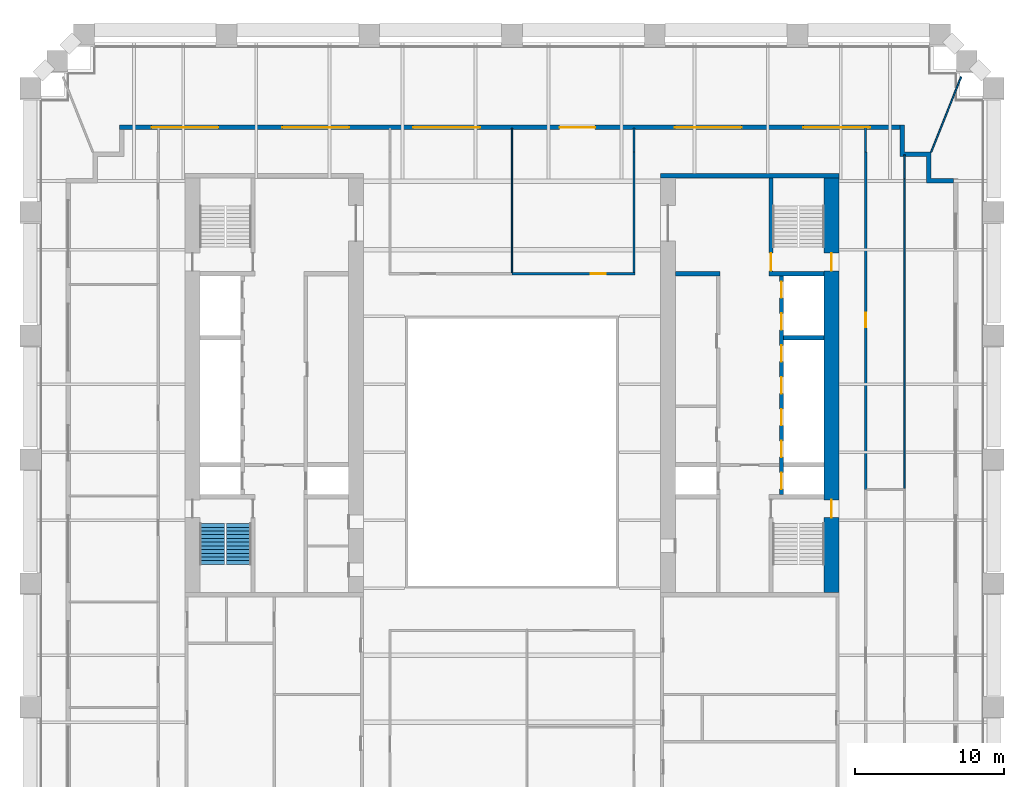
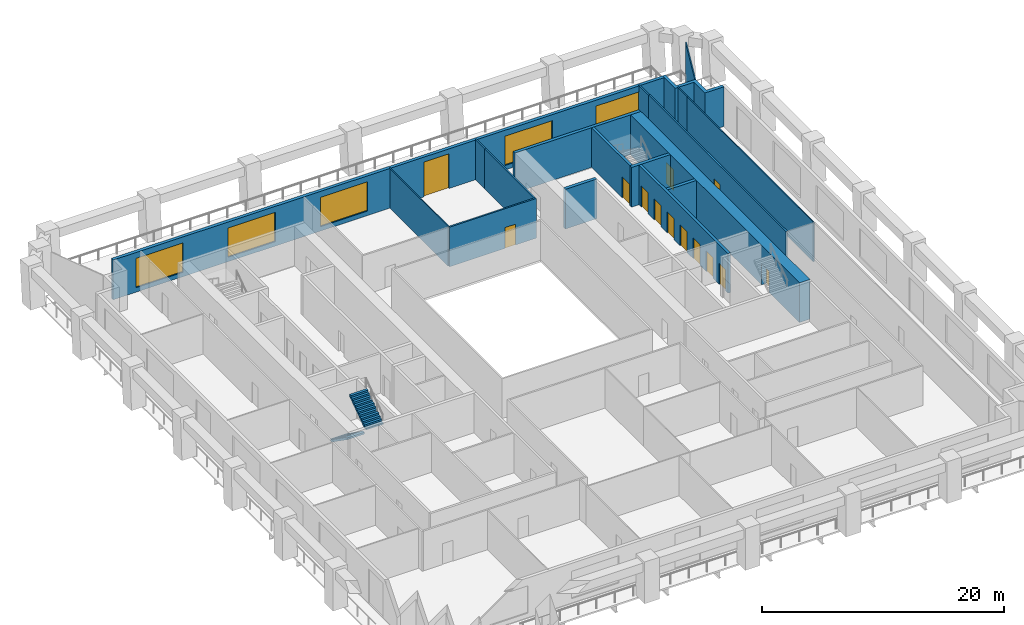
# One storey, part 7 of 10: 18 walls, 13 doors, 5 windows, 2 stair flights, 18 openings, 1 element without a shape of its own.
"""IFC4 building model written with IfcOpenShell, lengths in metres."""

from ifc_helpers import new_model, si_unit, direction, frame, frame_2d, origin, place, context, subcontext, project, spatial, polyline, rectangle, outline, extrude, material, layer, layer_set, type_object, element, fill, aggregate, save


model = new_model("IFC4")

# Units and contexts
model_context = context("Model", 3, precision=1e-05, world=origin(), true_north=direction((0.0, 1.0)))
body_context = subcontext(model_context, "Body", "Model", "MODEL_VIEW")
ifc_project = project(units=[si_unit("LENGTHUNIT", "METRE"), si_unit("AREAUNIT", "SQUARE_METRE"), si_unit("VOLUMEUNIT", "CUBIC_METRE"), si_unit("PLANEANGLEUNIT", "RADIAN"), si_unit("MASSUNIT", "GRAM", prefix="KILO")], contexts=[model_context])

# Site, building, storey
site_placement = place(None, origin())
site = spatial("IfcSite", under=ifc_project, at=site_placement, CompositionType="ELEMENT")
building_placement = place(site_placement, origin())
building = spatial("IfcBuilding", under=site, at=building_placement, Name="Ogive Exchange Tower", CompositionType="ELEMENT")
storey_placement = place(building_placement, frame((0.0, 0.0, 73.199951171875)))
storey = spatial("IfcBuildingStorey", under=building, at=storey_placement, Name="L15", CompositionType="ELEMENT", Elevation=73.199951171875)

# Wall
ifc_material_1 = material(Name="Gypsum board partition")
ifc_layer_1 = layer(ifc_material_1, 0.300048828125)
ifc_layer_set_1 = layer_set([ifc_layer_1], Name="Core room partition 300 gypsum")
wall_type_1 = type_object("IfcWallType", Name="Core room partition 300 gypsum", PredefinedType="PARTITIONING", material=ifc_layer_set_1)
wall_1_placement = place(storey_placement, frame((11.0, 19.0, 0.0), z_axis=(0.0, 0.0, 1.0), x_axis=(1.0, 0.0, 0.0)))
element("IfcWall", 1, at=wall_1_placement, inside=storey, type_object=wall_type_1, Name="E row B room end wall 7", PredefinedType="PARTITIONING", context=body_context, shape_type="SweptSolid", body=[
    extrude(rectangle(XDim=3.0, YDim=0.300048828125, at=frame_2d((1.5, 0.0))), origin(), (0.0, 0.0, 1.0), 4.0),
])

# Wall, opening, door
ifc_material_2 = material(Name="Fire partition EI 60 150")
ifc_layer_2 = layer(ifc_material_2, 0.14990234375)
ifc_layer_set_2 = layer_set([ifc_layer_2], Name="Fire partition EI 60 150")
wall_type_2 = type_object("IfcWallType", Name="Fire partition EI 60 150", PredefinedType="PARTITIONING", material=ifc_layer_set_2)
wall_2_placement = place(storey_placement, frame((0.0, 19.0, 0.0), z_axis=(0.0, 0.0, 1.0), x_axis=(1.0, 0.0, 0.0)))
wall_2 = element("IfcWall", 2, at=wall_2_placement, inside=storey, type_object=wall_type_2, Name="L15-PWL-027", PredefinedType="PARTITIONING", context=body_context, shape_type="SweptSolid", body=[
    extrude(rectangle(XDim=8.27490234375, YDim=0.14990234375, at=frame_2d((4.137451171875, 0.0))), origin(), (0.0, 0.0, 1.0), 4.0),
])
opening_1_placement = place(wall_2_placement, frame((5.300048828125, 0.0, 0.0)))
opening_1 = element("IfcOpeningElement", 3, at=opening_1_placement, cuts=wall_2, Name="Opening L15-I10", PredefinedType="OPENING", context=body_context, shape_type="SweptSolid", body=[
    extrude(rectangle(XDim=1.0, YDim=2.10009765625, at=frame_2d((0.5, 1.050048828125))), frame((0.0, 0.0849609375, 0.0), z_axis=(0.0, -1.0, 0.0), x_axis=(1.0, 0.0, 0.0)), (0.0, 0.0, 1.0), 0.169921875),
])
ifc_material_3 = material(Name="Fire door FD 30S 1000 x 2100")
door_type_1 = type_object("IfcDoorType", Name="Fire door FD 30S 1000 x 2100", OperationType="NOTDEFINED", PredefinedType="DOOR", material=ifc_material_3)
door_1_placement = place(opening_1_placement, origin())
door_1 = element("IfcDoor", 4, at=door_1_placement, inside=storey, type_object=door_type_1, Name="L15-IDR-010", ObjectType="DT3", OperationType="SINGLE_SWING_LEFT", OverallHeight=2.10009765625, OverallWidth=1.0, PredefinedType="DOOR", context=body_context, shape_type="SweptSolid", body=[
    extrude(rectangle(XDim=1.0, YDim=2.10009765625, at=frame_2d((0.5, 1.050048828125))), frame((0.0, 0.02490234375, 0.0), z_axis=(0.0, -1.0, 0.0), x_axis=(1.0, 0.0, 0.0)), (0.0, 0.0, 1.0), 0.050048828125),
])
fill(opening_1, door_1)

# Walls
wall_3_placement = place(storey_placement, frame((8.199951171875, 19.074951171875, 0.0), z_axis=(0.0, 0.0, 1.0), x_axis=(0.0, 1.0, 0.0)))
element("IfcWall", 5, at=wall_3_placement, inside=storey, type_object=wall_type_2, Name="L15-PWL-036", PredefinedType="PARTITIONING", context=body_context, shape_type="SweptSolid", body=[
    extrude(rectangle(XDim=8.125, YDim=0.14990234375, at=frame_2d((4.0625, 0.0))), origin(), (0.0, 0.0, 1.0), 4.0),
])
for number, where, z_axis, x_axis, name in (
    (6, (8.2099609375, 27.199951171875, 0.0), (0.0, 0.0, 1.0), (0.0, 1.0, 0.0), "L15-PWL-037"),
    (7, (23.7900390625, 28.800048828125, 0.0), (0.0, 0.0, 1.0), (0.0, -1.0, 0.0), "L15-PWL-043"),
):
    element("IfcWall", number, at=place(storey_placement, frame(where, z_axis=z_axis, x_axis=x_axis)), inside=storey, type_object=wall_type_2, Name=name, PredefinedType="PARTITIONING", context=body_context, shape_type="SweptSolid", body=[
        extrude(rectangle(XDim=1.60009765625, YDim=0.14990234375, at=frame_2d((0.800048828125, 0.0))), origin(), (0.0, 0.0, 1.0), 4.0),
    ])

# Wall, opening, door
wall_4_placement = place(storey_placement, frame((23.800048828125, 27.199951171875, 0.0), z_axis=(0.0, 0.0, 1.0), x_axis=(0.0, -1.0, 0.0)))
wall_4 = element("IfcWall", 8, at=wall_4_placement, inside=storey, type_object=wall_type_2, Name="L15-PWL-047", PredefinedType="PARTITIONING", context=body_context, shape_type="SweptSolid", body=[
    extrude(rectangle(XDim=22.699951171875, YDim=0.14990234375, at=frame_2d((11.35009765625, 0.0))), origin(), (0.0, 0.0, 1.0), 4.0),
])
opening_2_placement = place(wall_4_placement, frame((10.800048828125, 0.0, 0.0)))
opening_2 = element("IfcOpeningElement", 9, at=opening_2_placement, cuts=wall_4, Name="Opening L15-I04", PredefinedType="OPENING", context=body_context, shape_type="SweptSolid", body=[
    extrude(rectangle(XDim=1.0, YDim=2.10009765625, at=frame_2d((0.5, 1.050048828125))), frame((0.0, 0.0849609375, 0.0), z_axis=(0.0, -1.0, 0.0), x_axis=(1.0, 0.0, 0.0)), (0.0, 0.0, 1.0), 0.169921875),
])
door_2_placement = place(opening_2_placement, origin())
door_2 = element("IfcDoor", 10, at=door_2_placement, inside=storey, type_object=door_type_1, Name="L15-IDR-004", ObjectType="DT3", OperationType="SINGLE_SWING_LEFT", OverallHeight=2.10009765625, OverallWidth=1.0, PredefinedType="DOOR", context=body_context, shape_type="SweptSolid", body=[
    extrude(rectangle(XDim=1.0, YDim=2.10009765625, at=frame_2d((0.5, 1.050048828125))), frame((0.0, 0.02490234375, 0.0), z_axis=(0.0, -1.0, 0.0), x_axis=(1.0, 0.0, 0.0)), (0.0, 0.0, 1.0), 0.050048828125),
])
fill(opening_2, door_2)

# Wall, openings, door, windows
ifc_material_4 = material(Name="Precast concrete C40/50", Category="concrete")
ifc_layer_3 = layer(ifc_material_4, 0.300048828125)
ifc_layer_set_3 = layer_set([ifc_layer_3], Name="Limestone-faced wall 300")
wall_type_3 = type_object("IfcWallType", Name="Limestone-faced wall 300", PredefinedType="STANDARD", material=ifc_layer_set_3)
wall_5_placement = place(storey_placement, frame((26.10009765625, 28.85009765625, 0.0), z_axis=(0.0, 0.0, 1.0), x_axis=(-1.0, 0.0, 0.0)))
wall_5 = element("IfcWall", 11, at=wall_5_placement, inside=storey, type_object=wall_type_3, Name="External wall N3", PredefinedType="STANDARD", context=body_context, shape_type="SweptSolid", body=[
    extrude(rectangle(XDim=52.5, YDim=0.300048828125, at=frame_2d((26.25, 0.0))), origin(), (0.0, 0.0, 1.0), 4.0),
])
opening_3_placement = place(wall_5_placement, frame((2.0, 0.0, 0.449951171875)))
opening_3 = element("IfcOpeningElement", 12, at=opening_3_placement, cuts=wall_5, Name="Opening W1B", PredefinedType="OPENING", context=body_context, shape_type="SweptSolid", body=[
    extrude(rectangle(XDim=4.5, YDim=2.949951171875, at=frame_2d((2.25, 1.47509765625))), frame((0.0, 0.159912109375, 0.0), z_axis=(0.0, -1.0, 0.0), x_axis=(1.0, 0.0, 0.0)), (0.0, 0.0, 1.0), 0.320068359375),
])
opening_4_placement = place(wall_5_placement, frame((10.64990234375, 0.0, 0.449951171875)))
opening_4 = element("IfcOpeningElement", 13, at=opening_4_placement, cuts=wall_5, Name="Opening W1B", PredefinedType="OPENING", context=body_context, shape_type="SweptSolid", body=[
    extrude(rectangle(XDim=4.5, YDim=2.949951171875, at=frame_2d((2.25, 1.47509765625))), frame((0.0, 0.159912109375, 0.0), z_axis=(0.0, -1.0, 0.0), x_axis=(1.0, 0.0, 0.0)), (0.0, 0.0, 1.0), 0.320068359375),
])
opening_5_placement = place(wall_5_placement, frame((20.5, 0.0, 0.0)))
opening_5 = element("IfcOpeningElement", 14, at=opening_5_placement, cuts=wall_5, Name="Opening D1", PredefinedType="OPENING", context=body_context, shape_type="SweptSolid", body=[
    extrude(rectangle(XDim=2.39990234375, YDim=3.5, at=frame_2d((1.199951171875, 1.75))), frame((0.0, 0.159912109375, 0.0), z_axis=(0.0, -1.0, 0.0), x_axis=(1.0, 0.0, 0.0)), (0.0, 0.0, 1.0), 0.320068359375),
])
opening_6_placement = place(wall_5_placement, frame((28.25, 0.0, 0.449951171875)))
opening_6 = element("IfcOpeningElement", 15, at=opening_6_placement, cuts=wall_5, Name="Opening W1B", PredefinedType="OPENING", context=body_context, shape_type="SweptSolid", body=[
    extrude(rectangle(XDim=4.5, YDim=2.949951171875, at=frame_2d((2.25, 1.47509765625))), frame((0.0, 0.159912109375, 0.0), z_axis=(0.0, -1.0, 0.0), x_axis=(1.0, 0.0, 0.0)), (0.0, 0.0, 1.0), 0.320068359375),
])
opening_7_placement = place(wall_5_placement, frame((37.050048828125, 0.0, 0.449951171875)))
opening_7 = element("IfcOpeningElement", 16, at=opening_7_placement, cuts=wall_5, Name="Opening W1B", PredefinedType="OPENING", context=body_context, shape_type="SweptSolid", body=[
    extrude(rectangle(XDim=4.5, YDim=2.949951171875, at=frame_2d((2.25, 1.47509765625))), frame((0.0, 0.159912109375, 0.0), z_axis=(0.0, -1.0, 0.0), x_axis=(1.0, 0.0, 0.0)), (0.0, 0.0, 1.0), 0.320068359375),
])
opening_8_placement = place(wall_5_placement, frame((45.85009765625, 0.0, 0.449951171875)))
opening_8 = element("IfcOpeningElement", 17, at=opening_8_placement, cuts=wall_5, Name="Opening W1B", PredefinedType="OPENING", context=body_context, shape_type="SweptSolid", body=[
    extrude(rectangle(XDim=4.5, YDim=2.949951171875, at=frame_2d((2.25, 1.47509765625))), frame((0.0, 0.159912109375, 0.0), z_axis=(0.0, -1.0, 0.0), x_axis=(1.0, 0.0, 0.0)), (0.0, 0.0, 1.0), 0.320068359375),
])
ifc_material_5 = material(Name="Clear glass in bronze frame", Category="glass")
door_type_2 = type_object("IfcDoorType", Name="Sliding loggia door 2400 x 3500", OperationType="DOUBLE_DOOR_SLIDING", PredefinedType="DOOR", material=ifc_material_5)
door_3_placement = place(opening_5_placement, origin())
door_3 = element("IfcDoor", 18, at=door_3_placement, inside=storey, type_object=door_type_2, Name="Loggia door N02", OperationType="DOUBLE_DOOR_SLIDING", OverallHeight=3.5, OverallWidth=2.39990234375, PredefinedType="DOOR", context=body_context, shape_type="SweptSolid", body=[
    extrude(rectangle(XDim=2.39990234375, YDim=3.5, at=frame_2d((1.199951171875, 1.75))), frame((0.0, 0.02490234375, 0.0), z_axis=(0.0, -1.0, 0.0), x_axis=(1.0, 0.0, 0.0)), (0.0, 0.0, 1.0), 0.050048828125),
])
fill(opening_5, door_3)
window_type = type_object("IfcWindowType", Name="Twin lancet window 4500 x 2950", PartitioningType="DOUBLE_PANEL_VERTICAL", PredefinedType="WINDOW", material=ifc_material_5)
window_1_placement = place(opening_3_placement, origin())
window_1 = element("IfcWindow", 19, at=window_1_placement, inside=storey, type_object=window_type, Name="Window N00", OverallHeight=2.949951171875, OverallWidth=4.5, PartitioningType="DOUBLE_PANEL_VERTICAL", PredefinedType="WINDOW", context=body_context, shape_type="SweptSolid", body=[
    extrude(rectangle(XDim=4.5, YDim=2.949951171875, at=frame_2d((2.25, 1.47509765625))), frame((0.0, 0.030029296875, 0.0), z_axis=(0.0, -1.0, 0.0), x_axis=(1.0, 0.0, 0.0)), (0.0, 0.0, 1.0), 0.06005859375),
])
fill(opening_3, window_1)
window_2_placement = place(opening_4_placement, origin())
window_2 = element("IfcWindow", 20, at=window_2_placement, inside=storey, type_object=window_type, Name="Window N01", OverallHeight=2.949951171875, OverallWidth=4.5, PartitioningType="DOUBLE_PANEL_VERTICAL", PredefinedType="WINDOW", context=body_context, shape_type="SweptSolid", body=[
    extrude(rectangle(XDim=4.5, YDim=2.949951171875, at=frame_2d((2.25, 1.47509765625))), frame((0.0, 0.030029296875, 0.0), z_axis=(0.0, -1.0, 0.0), x_axis=(1.0, 0.0, 0.0)), (0.0, 0.0, 1.0), 0.06005859375),
])
fill(opening_4, window_2)
window_3_placement = place(opening_6_placement, origin())
window_3 = element("IfcWindow", 21, at=window_3_placement, inside=storey, type_object=window_type, Name="Window N03", OverallHeight=2.949951171875, OverallWidth=4.5, PartitioningType="DOUBLE_PANEL_VERTICAL", PredefinedType="WINDOW", context=body_context, shape_type="SweptSolid", body=[
    extrude(rectangle(XDim=4.5, YDim=2.949951171875, at=frame_2d((2.25, 1.47509765625))), frame((0.0, 0.030029296875, 0.0), z_axis=(0.0, -1.0, 0.0), x_axis=(1.0, 0.0, 0.0)), (0.0, 0.0, 1.0), 0.06005859375),
])
fill(opening_6, window_3)
window_4_placement = place(opening_7_placement, origin())
window_4 = element("IfcWindow", 22, at=window_4_placement, inside=storey, type_object=window_type, Name="Window N04", OverallHeight=2.949951171875, OverallWidth=4.5, PartitioningType="DOUBLE_PANEL_VERTICAL", PredefinedType="WINDOW", context=body_context, shape_type="SweptSolid", body=[
    extrude(rectangle(XDim=4.5, YDim=2.949951171875, at=frame_2d((2.25, 1.47509765625))), frame((0.0, 0.030029296875, 0.0), z_axis=(0.0, -1.0, 0.0), x_axis=(1.0, 0.0, 0.0)), (0.0, 0.0, 1.0), 0.06005859375),
])
fill(opening_7, window_4)
window_5_placement = place(opening_8_placement, origin())
window_5 = element("IfcWindow", 23, at=window_5_placement, inside=storey, type_object=window_type, Name="Window N05", OverallHeight=2.949951171875, OverallWidth=4.5, PartitioningType="DOUBLE_PANEL_VERTICAL", PredefinedType="WINDOW", context=body_context, shape_type="SweptSolid", body=[
    extrude(rectangle(XDim=4.5, YDim=2.949951171875, at=frame_2d((2.25, 1.47509765625))), frame((0.0, 0.030029296875, 0.0), z_axis=(0.0, -1.0, 0.0), x_axis=(1.0, 0.0, 0.0)), (0.0, 0.0, 1.0), 0.06005859375),
])
fill(opening_8, window_5)

# Walls
wall_6_placement = place(storey_placement, origin())
element("IfcWall", 24, at=wall_6_placement, inside=storey, type_object=wall_type_3, Name="External corner wall C2", PredefinedType="STANDARD", context=body_context, shape_type="SweptSolid", body=[
    extrude(outline(polyline([(27.89990234375, 26.89990234375), (26.10009765625, 26.89990234375), (26.10009765625, 29.0), (26.39990234375, 29.0), (26.39990234375, 27.199951171875), (28.199951171875, 27.199951171875), (28.199951171875, 25.39990234375), (29.699951171875, 25.39990234375), (29.699951171875, 25.10009765625), (27.89990234375, 25.10009765625), (27.89990234375, 26.89990234375)])), origin(), (0.0, 0.0, 1.0), 4.0),
])
ifc_material_6 = material(Name="Laminated safety glass in steel frame", Category="steel")
ifc_layer_4 = layer(ifc_material_6, 0.10009765625)
ifc_layer_set_4 = layer_set([ifc_layer_4], Name="Loggia end screen 100")
wall_type_4 = type_object("IfcWallType", Name="Loggia end screen 100", PredefinedType="STANDARD", material=ifc_layer_set_4)
wall_7_placement = place(storey_placement, frame((28.199951171875, 27.199951171875, -0.050048828125), z_axis=(0.0, 0.0, 1.0), x_axis=(0.371390676354, 0.928476690885, 0.0)))
element("IfcWall", 25, at=wall_7_placement, inside=storey, type_object=wall_type_4, Name="Loggia end screen C2", PredefinedType="STANDARD", context=body_context, shape_type="SweptSolid", body=[
    extrude(rectangle(XDim=5.4521484375, YDim=0.10009765625, at=frame_2d((2.72607421875, 0.0))), origin(), (0.0, 0.0, 1.0), 4.050048828125),
])
ifc_material_7 = material(Name="Partition 100 gypsum")
ifc_layer_5 = layer(ifc_material_7, 0.10009765625)
ifc_layer_set_5 = layer_set([ifc_layer_5], Name="Partition 100 gypsum")
wall_type_5 = type_object("IfcWallType", Name="Partition 100 gypsum", PredefinedType="PARTITIONING", material=ifc_layer_set_5)
wall_8_placement = place(storey_placement, frame((0.0, 19.074951171875, 0.0), z_axis=(0.0, 0.0, 1.0), x_axis=(0.0, 1.0, 0.0)))
element("IfcWall", 26, at=wall_8_placement, inside=storey, type_object=wall_type_5, Name="L15-PWL-026", PredefinedType="PARTITIONING", context=body_context, shape_type="SweptSolid", body=[
    extrude(rectangle(XDim=9.72509765625, YDim=0.10009765625, at=frame_2d((4.862548828125, 0.0))), origin(), (0.0, 0.0, 1.0), 4.0),
])
wall_9_placement = place(storey_placement, frame((26.39990234375, 4.550048828125, 0.0), z_axis=(0.0, 0.0, 1.0), x_axis=(0.0, 1.0, 0.0)))
element("IfcWall", 27, at=wall_9_placement, inside=storey, type_object=wall_type_5, Name="L15-PWL-049", PredefinedType="PARTITIONING", context=body_context, shape_type="SweptSolid", body=[
    extrude(rectangle(XDim=20.85986328125, YDim=0.10009765625, at=frame_2d((10.429931640625, 0.0))), origin(), (0.0, 0.0, 1.0), 4.0),
])
wall_10_placement = place(storey_placement, frame((26.409912109375, 25.409912109375, 0.0), z_axis=(0.0, 0.0, 1.0), x_axis=(0.0, 1.0, 0.0)))
element("IfcWall", 28, at=wall_10_placement, inside=storey, type_object=wall_type_5, Name="L15-PWL-051", PredefinedType="PARTITIONING", context=body_context, shape_type="SweptSolid", body=[
    extrude(rectangle(XDim=1.590087890625, YDim=0.10009765625, at=frame_2d((0.794921875, 0.0))), origin(), (0.0, 0.0, 1.0), 4.0),
])

# Wall, openings, doors
ifc_material_8 = material(Name="Concrete C70/85", Category="concrete")
ifc_layer_6 = layer(ifc_material_8, 1.0)
ifc_layer_set_6 = layer_set([ifc_layer_6], Name="RC core wall 1000 C70/85")
wall_type_6 = type_object("IfcWallType", Name="RC core wall 1000 C70/85", PredefinedType="SHEAR", material=ifc_layer_set_6)
wall_11_placement = place(storey_placement, frame((21.5, -2.449951171875, 0.0), z_axis=(0.0, 0.0, 1.0), x_axis=(0.0, 1.0, 0.0)))
wall_11 = element("IfcWall", 29, at=wall_11_placement, inside=storey, type_object=wall_type_6, Name="E outer wall", PredefinedType="SHEAR", context=body_context, shape_type="SweptSolid", body=[
    extrude(rectangle(XDim=27.89990234375, YDim=1.0, at=frame_2d((13.949951171875, 0.0))), origin(), (0.0, 0.0, 1.0), 4.0),
])
opening_9_placement = place(wall_11_placement, frame((5.050048828125, 0.0, 0.0)))
opening_9 = element("IfcOpeningElement", 30, at=opening_9_placement, cuts=wall_11, Name="Opening L15-C36", PredefinedType="OPENING", context=body_context, shape_type="SweptSolid", body=[
    extrude(rectangle(XDim=1.199951171875, YDim=2.10009765625, at=frame_2d((0.60009765625, 1.050048828125))), frame((0.0, 0.510009765625, 0.0), z_axis=(0.0, -1.0, 0.0), x_axis=(1.0, 0.0, 0.0)), (0.0, 0.0, 1.0), 1.02001953125),
])
opening_10_placement = place(wall_11_placement, frame((21.64990234375, 0.0, 0.0)))
opening_10 = element("IfcOpeningElement", 31, at=opening_10_placement, cuts=wall_11, Name="Opening L15-C38", PredefinedType="OPENING", context=body_context, shape_type="SweptSolid", body=[
    extrude(rectangle(XDim=1.199951171875, YDim=2.10009765625, at=frame_2d((0.60009765625, 1.050048828125))), frame((0.0, 0.510009765625, 0.0), z_axis=(0.0, -1.0, 0.0), x_axis=(1.0, 0.0, 0.0)), (0.0, 0.0, 1.0), 1.02001953125),
])
ifc_material_9 = material(Name="Steel fire door", Category="steel")
door_type_3 = type_object("IfcDoorType", Name="Stair door FD90 1200 x 2100", OperationType="NOTDEFINED", PredefinedType="DOOR", material=ifc_material_9)
door_4_placement = place(opening_9_placement, origin())
door_4 = element("IfcDoor", 32, at=door_4_placement, inside=storey, type_object=door_type_3, Name="Stair door", ObjectType="CD5", OperationType="SINGLE_SWING_LEFT", OverallHeight=2.10009765625, OverallWidth=1.199951171875, PredefinedType="DOOR", context=body_context, shape_type="SweptSolid", body=[
    extrude(rectangle(XDim=1.199951171875, YDim=2.10009765625, at=frame_2d((0.60009765625, 1.050048828125))), frame((0.0, 0.02490234375, 0.0), z_axis=(0.0, -1.0, 0.0), x_axis=(1.0, 0.0, 0.0)), (0.0, 0.0, 1.0), 0.050048828125),
])
fill(opening_9, door_4)
door_5_placement = place(opening_10_placement, origin())
door_5 = element("IfcDoor", 33, at=door_5_placement, inside=storey, type_object=door_type_3, Name="Stair door", ObjectType="CD5", OperationType="SINGLE_SWING_RIGHT", OverallHeight=2.10009765625, OverallWidth=1.199951171875, PredefinedType="DOOR", context=body_context, shape_type="SweptSolid", body=[
    extrude(rectangle(XDim=1.199951171875, YDim=2.10009765625, at=frame_2d((0.60009765625, 1.050048828125))), frame((0.0, 0.02490234375, 0.0), z_axis=(0.0, -1.0, 0.0), x_axis=(1.0, 0.0, 0.0)), (0.0, 0.0, 1.0), 0.050048828125),
])
fill(opening_10, door_5)

# Wall, opening, door
ifc_layer_7 = layer(ifc_material_8, 0.25)
ifc_layer_set_7 = layer_set([ifc_layer_7], Name="RC core wall 250 C70/85")
wall_type_7 = type_object("IfcWallType", Name="RC core wall 250 C70/85", PredefinedType="SHEAR", material=ifc_layer_set_7)
wall_12_placement = place(storey_placement, frame((17.425048828125, 19.14990234375, 0.0), z_axis=(0.0, 0.0, 1.0), x_axis=(0.0, 1.0, 0.0)))
wall_12 = element("IfcWall", 34, at=wall_12_placement, inside=storey, type_object=wall_type_7, Name="E stair N front wall", PredefinedType="SHEAR", context=body_context, shape_type="SweptSolid", body=[
    extrude(rectangle(XDim=6.300048828125, YDim=0.25, at=frame_2d((3.14990234375, 0.0))), origin(), (0.0, 0.0, 1.0), 4.0),
])
opening_11_placement = place(wall_12_placement, frame((0.050048828125, 0.0, 0.0)))
opening_11 = element("IfcOpeningElement", 35, at=opening_11_placement, cuts=wall_12, Name="Opening L15-C37", PredefinedType="OPENING", context=body_context, shape_type="SweptSolid", body=[
    extrude(rectangle(XDim=1.199951171875, YDim=2.10009765625, at=frame_2d((0.60009765625, 1.050048828125))), frame((0.0, 0.135009765625, 0.0), z_axis=(0.0, -1.0, 0.0), x_axis=(1.0, 0.0, 0.0)), (0.0, 0.0, 1.0), 0.27001953125),
])
door_6_placement = place(opening_11_placement, frame((1.199951171875, 0.0, 0.0), z_axis=(0.0, 0.0, 1.0), x_axis=(-1.0, 0.0, 0.0)))
door_6 = element("IfcDoor", 36, at=door_6_placement, inside=storey, type_object=door_type_3, Name="Stair door", ObjectType="CD5", OperationType="SINGLE_SWING_LEFT", OverallHeight=2.10009765625, OverallWidth=1.199951171875, PredefinedType="DOOR", context=body_context, shape_type="SweptSolid", body=[
    extrude(rectangle(XDim=1.199951171875, YDim=2.10009765625, at=frame_2d((0.60009765625, 1.050048828125))), frame((0.0, 0.02490234375, 0.0), z_axis=(0.0, -1.0, 0.0), x_axis=(1.0, 0.0, 0.0)), (0.0, 0.0, 1.0), 0.050048828125),
])
fill(opening_11, door_6)

# Wall, openings, doors
wall_13_placement = place(storey_placement, frame((18.125, 4.14990234375, 0.0), z_axis=(0.0, 0.0, 1.0), x_axis=(0.0, 1.0, 0.0)))
wall_13 = element("IfcWall", 37, at=wall_13_placement, inside=storey, type_object=wall_type_7, Name="E row A front wall", PredefinedType="SHEAR", context=body_context, shape_type="SweptSolid", body=[
    extrude(rectangle(XDim=14.7001953125, YDim=0.25, at=frame_2d((7.35009765625, 0.0))), origin(), (0.0, 0.0, 1.0), 4.0),
])
opening_12_placement = place(wall_13_placement, frame((0.371337890625, 0.0, 0.0)))
opening_12 = element("IfcOpeningElement", 38, at=opening_12_placement, cuts=wall_13, Name="Opening L15-C23", PredefinedType="OPENING", context=body_context, shape_type="SweptSolid", body=[
    extrude(rectangle(XDim=1.10009765625, YDim=2.10009765625, at=frame_2d((0.550048828125, 1.050048828125))), frame((0.0, 0.135009765625, 0.0), z_axis=(0.0, -1.0, 0.0), x_axis=(1.0, 0.0, 0.0)), (0.0, 0.0, 1.0), 0.27001953125),
])
opening_13_placement = place(wall_13_placement, frame((2.514404296875, 0.0, 0.0)))
opening_13 = element("IfcOpeningElement", 39, at=opening_13_placement, cuts=wall_13, Name="Opening L15-C24", PredefinedType="OPENING", context=body_context, shape_type="SweptSolid", body=[
    extrude(rectangle(XDim=1.10009765625, YDim=2.10009765625, at=frame_2d((0.550048828125, 1.050048828125))), frame((0.0, 0.135009765625, 0.0), z_axis=(0.0, -1.0, 0.0), x_axis=(1.0, 0.0, 0.0)), (0.0, 0.0, 1.0), 0.27001953125),
])
opening_14_placement = place(wall_13_placement, frame((4.656982421875, 0.0, 0.0)))
opening_14 = element("IfcOpeningElement", 40, at=opening_14_placement, cuts=wall_13, Name="Opening L15-C25", PredefinedType="OPENING", context=body_context, shape_type="SweptSolid", body=[
    extrude(rectangle(XDim=1.10009765625, YDim=2.10009765625, at=frame_2d((0.550048828125, 1.050048828125))), frame((0.0, 0.135009765625, 0.0), z_axis=(0.0, -1.0, 0.0), x_axis=(1.0, 0.0, 0.0)), (0.0, 0.0, 1.0), 0.27001953125),
])
opening_15_placement = place(wall_13_placement, frame((6.800048828125, 0.0, 0.0)))
opening_15 = element("IfcOpeningElement", 41, at=opening_15_placement, cuts=wall_13, Name="Opening L15-C26", PredefinedType="OPENING", context=body_context, shape_type="SweptSolid", body=[
    extrude(rectangle(XDim=1.10009765625, YDim=2.10009765625, at=frame_2d((0.550048828125, 1.050048828125))), frame((0.0, 0.135009765625, 0.0), z_axis=(0.0, -1.0, 0.0), x_axis=(1.0, 0.0, 0.0)), (0.0, 0.0, 1.0), 0.27001953125),
])
opening_16_placement = place(wall_13_placement, frame((8.94287109375, 0.0, 0.0)))
opening_16 = element("IfcOpeningElement", 42, at=opening_16_placement, cuts=wall_13, Name="Opening L15-C27", PredefinedType="OPENING", context=body_context, shape_type="SweptSolid", body=[
    extrude(rectangle(XDim=1.10009765625, YDim=2.10009765625, at=frame_2d((0.550048828125, 1.050048828125))), frame((0.0, 0.135009765625, 0.0), z_axis=(0.0, -1.0, 0.0), x_axis=(1.0, 0.0, 0.0)), (0.0, 0.0, 1.0), 0.27001953125),
])
opening_17_placement = place(wall_13_placement, frame((11.085693359375, 0.0, 0.0)))
opening_17 = element("IfcOpeningElement", 43, at=opening_17_placement, cuts=wall_13, Name="Opening L15-C28", PredefinedType="OPENING", context=body_context, shape_type="SweptSolid", body=[
    extrude(rectangle(XDim=1.10009765625, YDim=2.10009765625, at=frame_2d((0.550048828125, 1.050048828125))), frame((0.0, 0.135009765625, 0.0), z_axis=(0.0, -1.0, 0.0), x_axis=(1.0, 0.0, 0.0)), (0.0, 0.0, 1.0), 0.27001953125),
])
opening_18_placement = place(wall_13_placement, frame((13.228515625, 0.0, 0.0)))
opening_18 = element("IfcOpeningElement", 44, at=opening_18_placement, cuts=wall_13, Name="Opening L15-C29", PredefinedType="OPENING", context=body_context, shape_type="SweptSolid", body=[
    extrude(rectangle(XDim=1.10009765625, YDim=2.10009765625, at=frame_2d((0.550048828125, 1.050048828125))), frame((0.0, 0.135009765625, 0.0), z_axis=(0.0, -1.0, 0.0), x_axis=(1.0, 0.0, 0.0)), (0.0, 0.0, 1.0), 0.27001953125),
])
ifc_material_10 = material(Name="Stainless steel", Category="steel")
door_type_4 = type_object("IfcDoorType", Name="Lift landing door FD90 1100 x 2100", OperationType="SLIDING_TO_LEFT", PredefinedType="DOOR", material=ifc_material_10)
door_7_placement = place(opening_12_placement, origin())
door_7 = element("IfcDoor", 45, at=door_7_placement, inside=storey, type_object=door_type_4, Name="Lift landing door FF2", ObjectType="LD", OperationType="SLIDING_TO_LEFT", OverallHeight=2.10009765625, OverallWidth=1.10009765625, PredefinedType="DOOR", context=body_context, shape_type="SweptSolid", body=[
    extrude(rectangle(XDim=1.10009765625, YDim=2.10009765625, at=frame_2d((0.550048828125, 1.050048828125))), frame((0.0, 0.02490234375, 0.0), z_axis=(0.0, -1.0, 0.0), x_axis=(1.0, 0.0, 0.0)), (0.0, 0.0, 1.0), 0.050048828125),
])
fill(opening_12, door_7)
door_8_placement = place(opening_13_placement, origin())
door_8 = element("IfcDoor", 46, at=door_8_placement, inside=storey, type_object=door_type_4, Name="Lift landing door E-L1", ObjectType="LD", OperationType="SLIDING_TO_LEFT", OverallHeight=2.10009765625, OverallWidth=1.10009765625, PredefinedType="DOOR", context=body_context, shape_type="SweptSolid", body=[
    extrude(rectangle(XDim=1.10009765625, YDim=2.10009765625, at=frame_2d((0.550048828125, 1.050048828125))), frame((0.0, 0.02490234375, 0.0), z_axis=(0.0, -1.0, 0.0), x_axis=(1.0, 0.0, 0.0)), (0.0, 0.0, 1.0), 0.050048828125),
])
fill(opening_13, door_8)
door_9_placement = place(opening_14_placement, origin())
door_9 = element("IfcDoor", 47, at=door_9_placement, inside=storey, type_object=door_type_4, Name="Lift landing door E-L2", ObjectType="LD", OperationType="SLIDING_TO_LEFT", OverallHeight=2.10009765625, OverallWidth=1.10009765625, PredefinedType="DOOR", context=body_context, shape_type="SweptSolid", body=[
    extrude(rectangle(XDim=1.10009765625, YDim=2.10009765625, at=frame_2d((0.550048828125, 1.050048828125))), frame((0.0, 0.02490234375, 0.0), z_axis=(0.0, -1.0, 0.0), x_axis=(1.0, 0.0, 0.0)), (0.0, 0.0, 1.0), 0.050048828125),
])
fill(opening_14, door_9)
door_10_placement = place(opening_15_placement, origin())
door_10 = element("IfcDoor", 48, at=door_10_placement, inside=storey, type_object=door_type_4, Name="Lift landing door E-L3", ObjectType="LD", OperationType="SLIDING_TO_LEFT", OverallHeight=2.10009765625, OverallWidth=1.10009765625, PredefinedType="DOOR", context=body_context, shape_type="SweptSolid", body=[
    extrude(rectangle(XDim=1.10009765625, YDim=2.10009765625, at=frame_2d((0.550048828125, 1.050048828125))), frame((0.0, 0.02490234375, 0.0), z_axis=(0.0, -1.0, 0.0), x_axis=(1.0, 0.0, 0.0)), (0.0, 0.0, 1.0), 0.050048828125),
])
fill(opening_15, door_10)
door_11_placement = place(opening_16_placement, origin())
door_11 = element("IfcDoor", 49, at=door_11_placement, inside=storey, type_object=door_type_4, Name="Lift landing door E-L4", ObjectType="LD", OperationType="SLIDING_TO_LEFT", OverallHeight=2.10009765625, OverallWidth=1.10009765625, PredefinedType="DOOR", context=body_context, shape_type="SweptSolid", body=[
    extrude(rectangle(XDim=1.10009765625, YDim=2.10009765625, at=frame_2d((0.550048828125, 1.050048828125))), frame((0.0, 0.02490234375, 0.0), z_axis=(0.0, -1.0, 0.0), x_axis=(1.0, 0.0, 0.0)), (0.0, 0.0, 1.0), 0.050048828125),
])
fill(opening_16, door_11)
door_12_placement = place(opening_17_placement, origin())
door_12 = element("IfcDoor", 50, at=door_12_placement, inside=storey, type_object=door_type_4, Name="Lift landing door E-SH1", ObjectType="LD", OperationType="SLIDING_TO_LEFT", OverallHeight=2.10009765625, OverallWidth=1.10009765625, PredefinedType="DOOR", context=body_context, shape_type="SweptSolid", body=[
    extrude(rectangle(XDim=1.10009765625, YDim=2.10009765625, at=frame_2d((0.550048828125, 1.050048828125))), frame((0.0, 0.02490234375, 0.0), z_axis=(0.0, -1.0, 0.0), x_axis=(1.0, 0.0, 0.0)), (0.0, 0.0, 1.0), 0.050048828125),
])
fill(opening_17, door_12)
door_13_placement = place(opening_18_placement, origin())
door_13 = element("IfcDoor", 51, at=door_13_placement, inside=storey, type_object=door_type_4, Name="Lift landing door E-SH2", ObjectType="LD", OperationType="SLIDING_TO_LEFT", OverallHeight=2.10009765625, OverallWidth=1.10009765625, PredefinedType="DOOR", context=body_context, shape_type="SweptSolid", body=[
    extrude(rectangle(XDim=1.10009765625, YDim=2.10009765625, at=frame_2d((0.550048828125, 1.050048828125))), frame((0.0, 0.02490234375, 0.0), z_axis=(0.0, -1.0, 0.0), x_axis=(1.0, 0.0, 0.0)), (0.0, 0.0, 1.0), 0.050048828125),
])
fill(opening_18, door_13)

# Walls
ifc_layer_8 = layer(ifc_material_8, 0.300048828125)
ifc_layer_set_8 = layer_set([ifc_layer_8], Name="RC core wall 300 C70/85")
wall_type_8 = type_object("IfcWallType", Name="RC core wall 300 C70/85", PredefinedType="SHEAR", material=ifc_layer_set_8)
wall_14_placement = place(storey_placement, frame((10.0, 25.60009765625, 0.0), z_axis=(0.0, 0.0, 1.0), x_axis=(1.0, 0.0, 0.0)))
element("IfcWall", 52, at=wall_14_placement, inside=storey, type_object=wall_type_8, Name="E north end wall", PredefinedType="SHEAR", context=body_context, shape_type="SweptSolid", body=[
    extrude(rectangle(XDim=12.0, YDim=0.300048828125, at=frame_2d((6.0, 0.0))), origin(), (0.0, 0.0, 1.0), 4.0),
])
wall_15_placement = place(storey_placement, frame((17.300048828125, 19.0, 0.0), z_axis=(0.0, 0.0, 1.0), x_axis=(1.0, 0.0, 0.0)))
element("IfcWall", 53, at=wall_15_placement, inside=storey, type_object=wall_type_8, Name="E stair N south wall", PredefinedType="SHEAR", context=body_context, shape_type="SweptSolid", body=[
    extrude(rectangle(XDim=3.699951171875, YDim=0.300048828125, at=frame_2d((1.85009765625, 0.0))), origin(), (0.0, 0.0, 1.0), 4.0),
])
wall_16_placement = place(storey_placement, frame((18.25, 14.71435546875, 0.0), z_axis=(0.0, 0.0, 1.0), x_axis=(1.0, 0.0, 0.0)))
element("IfcWall", 54, at=wall_16_placement, inside=storey, type_object=wall_type_8, Name="E row A divider 5", PredefinedType="SHEAR", context=body_context, shape_type="SweptSolid", body=[
    extrude(rectangle(XDim=2.75, YDim=0.300048828125, at=frame_2d((1.375, 0.0))), origin(), (0.0, 0.0, 1.0), 4.0),
])

# Stair, stair flights
ifc_material_11 = material(Name="Concrete C40/50", Category="concrete")
stair_type = type_object("IfcStairType", Name="Exit stair 1650 wide", PredefinedType="HALF_TURN_STAIR", material=ifc_material_11)
stair_placement = place(storey_placement, origin())
stair = element("IfcStair", 55, at=stair_placement, inside=storey, type_object=stair_type, Name="L15 exit stair ST1", PredefinedType="HALF_TURN_STAIR")
stair_flight_type = type_object("IfcStairFlightType", Name="Stair flight 1650 wide", PredefinedType="STRAIGHT", material=ifc_material_11)
stair_flight_1_placement = place(storey_placement, frame((-20.175048828125, 2.199951171875, 0.0), z_axis=(0.0, 0.0, 1.0), x_axis=(0.0, -1.0, 0.0)))
stair_flight_1 = element("IfcStairFlight", 56, at=stair_flight_1_placement, type_object=stair_flight_type, Name="ST1 flight 1", NumberOfRisers=12, NumberOfTreads=11, PredefinedType="STRAIGHT", RiserHeight=0.175, TreadLength=0.25, context=body_context, shape_type="SweptSolid", body=[
    extrude(outline(polyline([(0.0, 0.0), (0.0, 0.175048828125), (0.25, 0.175048828125), (0.25, 0.35009765625), (0.5, 0.35009765625), (0.5, 0.52490234375), (0.75, 0.52490234375), (0.75, 0.699951171875), (1.0, 0.699951171875), (1.0, 0.875), (1.25, 0.875), (1.25, 1.050048828125), (1.5, 1.050048828125), (1.5, 1.22509765625), (1.75, 1.22509765625), (1.75, 1.39990234375), (2.0, 1.39990234375), (2.0, 1.574951171875), (2.25, 1.574951171875), (2.25, 1.75), (2.5, 1.75), (2.5, 1.925048828125), (2.75, 1.925048828125), (2.75, 2.10009765625), (2.75, 1.741943359375), (0.261474609375, 0.0), (0.0, 0.0)])), frame((0.0, 0.824951171875, 0.0), z_axis=(0.0, -1.0, 0.0), x_axis=(1.0, 0.0, 0.0)), (0.0, 0.0, 1.0), 1.64990234375),
])
stair_flight_2_placement = place(storey_placement, frame((-18.375, -0.550048828125, 2.10009765625), z_axis=(0.0, 0.0, 1.0), x_axis=(0.0, 1.0, 0.0)))
stair_flight_2 = element("IfcStairFlight", 57, at=stair_flight_2_placement, type_object=stair_flight_type, Name="ST1 flight 2", NumberOfRisers=12, NumberOfTreads=11, PredefinedType="STRAIGHT", RiserHeight=0.175, TreadLength=0.25, context=body_context, shape_type="SweptSolid", body=[
    extrude(outline(polyline([(0.0, 0.0), (0.0, 0.175048828125), (0.25, 0.175048828125), (0.25, 0.35009765625), (0.5, 0.35009765625), (0.5, 0.52490234375), (0.75, 0.52490234375), (0.75, 0.699951171875), (1.0, 0.699951171875), (1.0, 0.875), (1.25, 0.875), (1.25, 1.050048828125), (1.5, 1.050048828125), (1.5, 1.22509765625), (1.75, 1.22509765625), (1.75, 1.39990234375), (2.0, 1.39990234375), (2.0, 1.574951171875), (2.25, 1.574951171875), (2.25, 1.75), (2.5, 1.75), (2.5, 1.925048828125), (2.75, 1.925048828125), (2.75, 2.10009765625), (2.75, 1.741943359375), (0.261474609375, 0.0), (0.0, 0.0)])), frame((0.0, 0.824951171875, 0.0), z_axis=(0.0, -1.0, 0.0), x_axis=(1.0, 0.0, 0.0)), (0.0, 0.0, 1.0), 1.64990234375),
])
aggregate(stair, [stair_flight_1, stair_flight_2])

save(model, "model.ifc")
